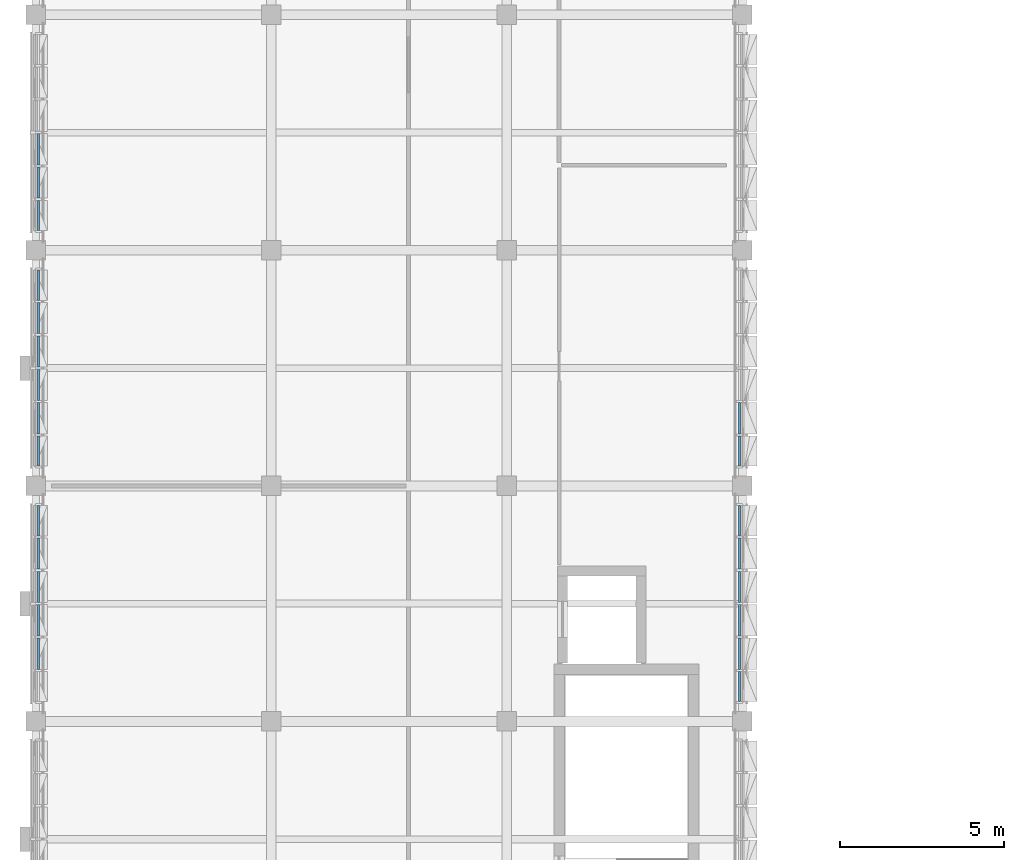
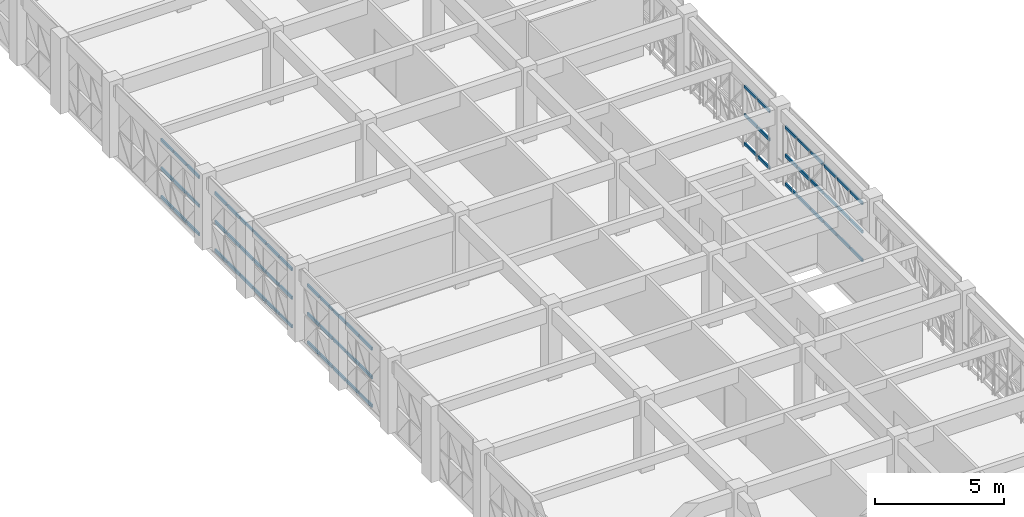
# One storey, part 22 of 74: 66 members, 5 elements without a shape of their own.
"""IFC4 building model written with IfcOpenShell, lengths in metres."""

from ifc_helpers import new_model, si_unit, direction, frame, origin, origin_2d, place, context, subcontext, project, spatial, rectangle, extrude, material, material_profile, profile_set, type_object, element, aggregate, save


model = new_model("IFC4")

# Units and contexts
model_context = context("Model", 3, precision=1e-05, world=origin(), true_north=direction((0.0, 1.0)))
body_context = subcontext(model_context, "Body", "Model", "MODEL_VIEW")
ifc_project = project(units=[si_unit("LENGTHUNIT", "METRE"), si_unit("AREAUNIT", "SQUARE_METRE"), si_unit("VOLUMEUNIT", "CUBIC_METRE"), si_unit("PLANEANGLEUNIT", "RADIAN"), si_unit("MASSUNIT", "GRAM", prefix="KILO")], contexts=[model_context])

# Site, building, storey
site_placement = place(None, origin())
site = spatial("IfcSite", under=ifc_project, at=site_placement, CompositionType="ELEMENT")
building_placement = place(site_placement, origin())
building = spatial("IfcBuilding", under=site, at=building_placement, Name="Alvorim Cloister Faculty of Sciences", CompositionType="ELEMENT")
storey_placement = place(building_placement, frame((0.0, 0.0, 15.75)))
storey = spatial("IfcBuildingStorey", under=building, at=storey_placement, Name="L04", CompositionType="ELEMENT", Elevation=15.75)

# Curtain wall, members
ifc_material_1 = material(Name="Aluminium and Low-E Glass Curtain Wall", Category="aluminium")
curtain_wall_type = type_object("IfcCurtainWallType", Name="CW-TRI-6120x2850", PredefinedType="USERDEFINED", material=ifc_material_1)
curtain_wall_1_placement = place(storey_placement, origin())
curtain_wall_1 = element("IfcCurtainWall", 1, at=curtain_wall_1_placement, inside=storey, type_object=curtain_wall_type, Name="L04 Diagonal Cassette Curtain Wall CW-0173", ObjectType="UNITISED CURTAIN WALL", PredefinedType="USERDEFINED")
ifc_material_2 = material(Name="Aluminium Alloy 6063-T6", Category="aluminium")
ifc_material_profile = material_profile(ifc_material_2, rectangle(XDim=0.06494140625, YDim=0.139892578125, at=origin_2d()), Name="ALU-TRN-65x140")
ifc_profile_set = profile_set([ifc_material_profile], Name="Aluminium Alloy 6063-T6")
member_type = type_object("IfcMemberType", Name="CW-TRN-65x140", PredefinedType="USERDEFINED", material=ifc_profile_set)
member_1_placement = place(storey_placement, frame((0.090087890625, 79.592529296875, 0.070068359375), z_axis=(0.0, 1.0, 0.0), x_axis=(-1.0, 0.0, 0.0)))
member_1 = element("IfcMember", 2, at=member_1_placement, type_object=member_type, Name="CW-0173 Transom 2.1", ObjectType="TRANSOM", PredefinedType="USERDEFINED", context=body_context, shape_type="SweptSolid", body=[
    extrude(rectangle(XDim=0.06494140625, YDim=0.139892578125, at=origin_2d()), origin(), (0.0, 0.0, 1.0), 0.955078125),
])
member_2_placement = place(storey_placement, frame((0.090087890625, 79.592529296875, 1.425048828125), z_axis=(0.0, 1.0, 0.0), x_axis=(-1.0, 0.0, 0.0)))
member_2 = element("IfcMember", 3, at=member_2_placement, type_object=member_type, Name="CW-0173 Transom 2.2", ObjectType="TRANSOM", PredefinedType="USERDEFINED", context=body_context, shape_type="SweptSolid", body=[
    extrude(rectangle(XDim=0.06494140625, YDim=0.139892578125, at=origin_2d()), origin(), (0.0, 0.0, 1.0), 0.955078125),
])
member_3_placement = place(storey_placement, frame((0.090087890625, 79.592529296875, 2.780029296875), z_axis=(0.0, 1.0, 0.0), x_axis=(-1.0, 0.0, 0.0)))
member_3 = element("IfcMember", 4, at=member_3_placement, type_object=member_type, Name="CW-0173 Transom 2.3", ObjectType="TRANSOM", PredefinedType="USERDEFINED", context=body_context, shape_type="SweptSolid", body=[
    extrude(rectangle(XDim=0.06494140625, YDim=0.139892578125, at=origin_2d()), origin(), (0.0, 0.0, 1.0), 0.955078125),
])
member_4_placement = place(storey_placement, frame((0.090087890625, 80.612548828125, 0.070068359375), z_axis=(0.0, 1.0, 0.0), x_axis=(-1.0, 0.0, 0.0)))
member_4 = element("IfcMember", 5, at=member_4_placement, type_object=member_type, Name="CW-0173 Transom 3.1", ObjectType="TRANSOM", PredefinedType="USERDEFINED", context=body_context, shape_type="SweptSolid", body=[
    extrude(rectangle(XDim=0.06494140625, YDim=0.139892578125, at=origin_2d()), origin(), (0.0, 0.0, 1.0), 0.954833984375),
])
member_5_placement = place(storey_placement, frame((0.090087890625, 80.612548828125, 1.425048828125), z_axis=(0.0, 1.0, 0.0), x_axis=(-1.0, 0.0, 0.0)))
member_5 = element("IfcMember", 6, at=member_5_placement, type_object=member_type, Name="CW-0173 Transom 3.2", ObjectType="TRANSOM", PredefinedType="USERDEFINED", context=body_context, shape_type="SweptSolid", body=[
    extrude(rectangle(XDim=0.06494140625, YDim=0.139892578125, at=origin_2d()), origin(), (0.0, 0.0, 1.0), 0.954833984375),
])
member_6_placement = place(storey_placement, frame((0.090087890625, 80.612548828125, 2.780029296875), z_axis=(0.0, 1.0, 0.0), x_axis=(-1.0, 0.0, 0.0)))
member_6 = element("IfcMember", 7, at=member_6_placement, type_object=member_type, Name="CW-0173 Transom 3.3", ObjectType="TRANSOM", PredefinedType="USERDEFINED", context=body_context, shape_type="SweptSolid", body=[
    extrude(rectangle(XDim=0.06494140625, YDim=0.139892578125, at=origin_2d()), origin(), (0.0, 0.0, 1.0), 0.954833984375),
])
member_7_placement = place(storey_placement, frame((0.090087890625, 81.632568359375, 0.070068359375), z_axis=(0.0, 1.0, 0.0), x_axis=(-1.0, 0.0, 0.0)))
member_7 = element("IfcMember", 8, at=member_7_placement, type_object=member_type, Name="CW-0173 Transom 4.1", ObjectType="TRANSOM", PredefinedType="USERDEFINED", context=body_context, shape_type="SweptSolid", body=[
    extrude(rectangle(XDim=0.06494140625, YDim=0.139892578125, at=origin_2d()), origin(), (0.0, 0.0, 1.0), 0.954833984375),
])
member_8_placement = place(storey_placement, frame((0.090087890625, 81.632568359375, 1.425048828125), z_axis=(0.0, 1.0, 0.0), x_axis=(-1.0, 0.0, 0.0)))
member_8 = element("IfcMember", 9, at=member_8_placement, type_object=member_type, Name="CW-0173 Transom 4.2", ObjectType="TRANSOM", PredefinedType="USERDEFINED", context=body_context, shape_type="SweptSolid", body=[
    extrude(rectangle(XDim=0.06494140625, YDim=0.139892578125, at=origin_2d()), origin(), (0.0, 0.0, 1.0), 0.954833984375),
])
member_9_placement = place(storey_placement, frame((0.090087890625, 81.632568359375, 2.780029296875), z_axis=(0.0, 1.0, 0.0), x_axis=(-1.0, 0.0, 0.0)))
member_9 = element("IfcMember", 10, at=member_9_placement, type_object=member_type, Name="CW-0173 Transom 4.3", ObjectType="TRANSOM", PredefinedType="USERDEFINED", context=body_context, shape_type="SweptSolid", body=[
    extrude(rectangle(XDim=0.06494140625, YDim=0.139892578125, at=origin_2d()), origin(), (0.0, 0.0, 1.0), 0.954833984375),
])
member_10_placement = place(storey_placement, frame((0.090087890625, 82.652587890625, 0.070068359375), z_axis=(0.0, 1.0, 0.0), x_axis=(-1.0, 0.0, 0.0)))
member_10 = element("IfcMember", 11, at=member_10_placement, type_object=member_type, Name="CW-0173 Transom 5.1", ObjectType="TRANSOM", PredefinedType="USERDEFINED", context=body_context, shape_type="SweptSolid", body=[
    extrude(rectangle(XDim=0.06494140625, YDim=0.139892578125, at=origin_2d()), origin(), (0.0, 0.0, 1.0), 0.954833984375),
])
member_11_placement = place(storey_placement, frame((0.090087890625, 82.652587890625, 1.425048828125), z_axis=(0.0, 1.0, 0.0), x_axis=(-1.0, 0.0, 0.0)))
member_11 = element("IfcMember", 12, at=member_11_placement, type_object=member_type, Name="CW-0173 Transom 5.2", ObjectType="TRANSOM", PredefinedType="USERDEFINED", context=body_context, shape_type="SweptSolid", body=[
    extrude(rectangle(XDim=0.06494140625, YDim=0.139892578125, at=origin_2d()), origin(), (0.0, 0.0, 1.0), 0.954833984375),
])
member_12_placement = place(storey_placement, frame((0.090087890625, 82.652587890625, 2.780029296875), z_axis=(0.0, 1.0, 0.0), x_axis=(-1.0, 0.0, 0.0)))
member_12 = element("IfcMember", 13, at=member_12_placement, type_object=member_type, Name="CW-0173 Transom 5.3", ObjectType="TRANSOM", PredefinedType="USERDEFINED", context=body_context, shape_type="SweptSolid", body=[
    extrude(rectangle(XDim=0.06494140625, YDim=0.139892578125, at=origin_2d()), origin(), (0.0, 0.0, 1.0), 0.954833984375),
])
member_13_placement = place(storey_placement, frame((0.090087890625, 83.672607421875, 0.070068359375), z_axis=(0.0, 1.0, 0.0), x_axis=(-1.0, 0.0, 0.0)))
member_13 = element("IfcMember", 14, at=member_13_placement, type_object=member_type, Name="CW-0173 Transom 6.1", ObjectType="TRANSOM", PredefinedType="USERDEFINED", context=body_context, shape_type="SweptSolid", body=[
    extrude(rectangle(XDim=0.06494140625, YDim=0.139892578125, at=origin_2d()), origin(), (0.0, 0.0, 1.0), 0.92236328125),
])
member_14_placement = place(storey_placement, frame((0.090087890625, 83.672607421875, 1.425048828125), z_axis=(0.0, 1.0, 0.0), x_axis=(-1.0, 0.0, 0.0)))
member_14 = element("IfcMember", 15, at=member_14_placement, type_object=member_type, Name="CW-0173 Transom 6.2", ObjectType="TRANSOM", PredefinedType="USERDEFINED", context=body_context, shape_type="SweptSolid", body=[
    extrude(rectangle(XDim=0.06494140625, YDim=0.139892578125, at=origin_2d()), origin(), (0.0, 0.0, 1.0), 0.92236328125),
])
member_15_placement = place(storey_placement, frame((0.090087890625, 83.672607421875, 2.780029296875), z_axis=(0.0, 1.0, 0.0), x_axis=(-1.0, 0.0, 0.0)))
member_15 = element("IfcMember", 16, at=member_15_placement, type_object=member_type, Name="CW-0173 Transom 6.3", ObjectType="TRANSOM", PredefinedType="USERDEFINED", context=body_context, shape_type="SweptSolid", body=[
    extrude(rectangle(XDim=0.06494140625, YDim=0.139892578125, at=origin_2d()), origin(), (0.0, 0.0, 1.0), 0.92236328125),
])
aggregate(curtain_wall_1, [member_1, member_2, member_3, member_4, member_5, member_6, member_7, member_8, member_9, member_10, member_11, member_12, member_13, member_14, member_15])

curtain_wall_2_placement = place(storey_placement, origin())
curtain_wall_2 = element("IfcCurtainWall", 17, at=curtain_wall_2_placement, inside=storey, type_object=curtain_wall_type, Name="L04 Diagonal Cassette Curtain Wall CW-0174", ObjectType="UNITISED CURTAIN WALL", PredefinedType="USERDEFINED")
member_16_placement = place(storey_placement, frame((0.090087890625, 85.804931640625, 0.070068359375), z_axis=(0.0, 1.0, 0.0), x_axis=(-1.0, 0.0, 0.0)))
member_16 = element("IfcMember", 18, at=member_16_placement, type_object=member_type, Name="CW-0174 Transom 1.1", ObjectType="TRANSOM", PredefinedType="USERDEFINED", context=body_context, shape_type="SweptSolid", body=[
    extrude(rectangle(XDim=0.06494140625, YDim=0.139892578125, at=origin_2d()), origin(), (0.0, 0.0, 1.0), 0.922607421875),
])
member_17_placement = place(storey_placement, frame((0.090087890625, 85.804931640625, 1.425048828125), z_axis=(0.0, 1.0, 0.0), x_axis=(-1.0, 0.0, 0.0)))
member_17 = element("IfcMember", 19, at=member_17_placement, type_object=member_type, Name="CW-0174 Transom 1.2", ObjectType="TRANSOM", PredefinedType="USERDEFINED", context=body_context, shape_type="SweptSolid", body=[
    extrude(rectangle(XDim=0.06494140625, YDim=0.139892578125, at=origin_2d()), origin(), (0.0, 0.0, 1.0), 0.922607421875),
])
member_18_placement = place(storey_placement, frame((0.090087890625, 85.804931640625, 2.780029296875), z_axis=(0.0, 1.0, 0.0), x_axis=(-1.0, 0.0, 0.0)))
member_18 = element("IfcMember", 20, at=member_18_placement, type_object=member_type, Name="CW-0174 Transom 1.3", ObjectType="TRANSOM", PredefinedType="USERDEFINED", context=body_context, shape_type="SweptSolid", body=[
    extrude(rectangle(XDim=0.06494140625, YDim=0.139892578125, at=origin_2d()), origin(), (0.0, 0.0, 1.0), 0.922607421875),
])
member_19_placement = place(storey_placement, frame((0.090087890625, 86.79248046875, 0.070068359375), z_axis=(0.0, 1.0, 0.0), x_axis=(-1.0, 0.0, 0.0)))
member_19 = element("IfcMember", 21, at=member_19_placement, type_object=member_type, Name="CW-0174 Transom 2.1", ObjectType="TRANSOM", PredefinedType="USERDEFINED", context=body_context, shape_type="SweptSolid", body=[
    extrude(rectangle(XDim=0.06494140625, YDim=0.139892578125, at=origin_2d()), origin(), (0.0, 0.0, 1.0), 0.955078125),
])
member_20_placement = place(storey_placement, frame((0.090087890625, 86.79248046875, 1.425048828125), z_axis=(0.0, 1.0, 0.0), x_axis=(-1.0, 0.0, 0.0)))
member_20 = element("IfcMember", 22, at=member_20_placement, type_object=member_type, Name="CW-0174 Transom 2.2", ObjectType="TRANSOM", PredefinedType="USERDEFINED", context=body_context, shape_type="SweptSolid", body=[
    extrude(rectangle(XDim=0.06494140625, YDim=0.139892578125, at=origin_2d()), origin(), (0.0, 0.0, 1.0), 0.955078125),
])
member_21_placement = place(storey_placement, frame((0.090087890625, 86.79248046875, 2.780029296875), z_axis=(0.0, 1.0, 0.0), x_axis=(-1.0, 0.0, 0.0)))
member_21 = element("IfcMember", 23, at=member_21_placement, type_object=member_type, Name="CW-0174 Transom 2.3", ObjectType="TRANSOM", PredefinedType="USERDEFINED", context=body_context, shape_type="SweptSolid", body=[
    extrude(rectangle(XDim=0.06494140625, YDim=0.139892578125, at=origin_2d()), origin(), (0.0, 0.0, 1.0), 0.955078125),
])
member_22_placement = place(storey_placement, frame((0.090087890625, 87.8125, 0.070068359375), z_axis=(0.0, 1.0, 0.0), x_axis=(-1.0, 0.0, 0.0)))
member_22 = element("IfcMember", 24, at=member_22_placement, type_object=member_type, Name="CW-0174 Transom 3.1", ObjectType="TRANSOM", PredefinedType="USERDEFINED", context=body_context, shape_type="SweptSolid", body=[
    extrude(rectangle(XDim=0.06494140625, YDim=0.139892578125, at=origin_2d()), origin(), (0.0, 0.0, 1.0), 0.955078125),
])
member_23_placement = place(storey_placement, frame((0.090087890625, 87.8125, 1.425048828125), z_axis=(0.0, 1.0, 0.0), x_axis=(-1.0, 0.0, 0.0)))
member_23 = element("IfcMember", 25, at=member_23_placement, type_object=member_type, Name="CW-0174 Transom 3.2", ObjectType="TRANSOM", PredefinedType="USERDEFINED", context=body_context, shape_type="SweptSolid", body=[
    extrude(rectangle(XDim=0.06494140625, YDim=0.139892578125, at=origin_2d()), origin(), (0.0, 0.0, 1.0), 0.955078125),
])
member_24_placement = place(storey_placement, frame((0.090087890625, 87.8125, 2.780029296875), z_axis=(0.0, 1.0, 0.0), x_axis=(-1.0, 0.0, 0.0)))
member_24 = element("IfcMember", 26, at=member_24_placement, type_object=member_type, Name="CW-0174 Transom 3.3", ObjectType="TRANSOM", PredefinedType="USERDEFINED", context=body_context, shape_type="SweptSolid", body=[
    extrude(rectangle(XDim=0.06494140625, YDim=0.139892578125, at=origin_2d()), origin(), (0.0, 0.0, 1.0), 0.955078125),
])
member_25_placement = place(storey_placement, frame((0.090087890625, 88.83251953125, 0.070068359375), z_axis=(0.0, 1.0, 0.0), x_axis=(-1.0, 0.0, 0.0)))
member_25 = element("IfcMember", 27, at=member_25_placement, type_object=member_type, Name="CW-0174 Transom 4.1", ObjectType="TRANSOM", PredefinedType="USERDEFINED", context=body_context, shape_type="SweptSolid", body=[
    extrude(rectangle(XDim=0.06494140625, YDim=0.139892578125, at=origin_2d()), origin(), (0.0, 0.0, 1.0), 0.955078125),
])
member_26_placement = place(storey_placement, frame((0.090087890625, 88.83251953125, 1.425048828125), z_axis=(0.0, 1.0, 0.0), x_axis=(-1.0, 0.0, 0.0)))
member_26 = element("IfcMember", 28, at=member_26_placement, type_object=member_type, Name="CW-0174 Transom 4.2", ObjectType="TRANSOM", PredefinedType="USERDEFINED", context=body_context, shape_type="SweptSolid", body=[
    extrude(rectangle(XDim=0.06494140625, YDim=0.139892578125, at=origin_2d()), origin(), (0.0, 0.0, 1.0), 0.955078125),
])
member_27_placement = place(storey_placement, frame((0.090087890625, 88.83251953125, 2.780029296875), z_axis=(0.0, 1.0, 0.0), x_axis=(-1.0, 0.0, 0.0)))
member_27 = element("IfcMember", 29, at=member_27_placement, type_object=member_type, Name="CW-0174 Transom 4.3", ObjectType="TRANSOM", PredefinedType="USERDEFINED", context=body_context, shape_type="SweptSolid", body=[
    extrude(rectangle(XDim=0.06494140625, YDim=0.139892578125, at=origin_2d()), origin(), (0.0, 0.0, 1.0), 0.955078125),
])
member_28_placement = place(storey_placement, frame((0.090087890625, 89.8525390625, 0.070068359375), z_axis=(0.0, 1.0, 0.0), x_axis=(-1.0, 0.0, 0.0)))
member_28 = element("IfcMember", 30, at=member_28_placement, type_object=member_type, Name="CW-0174 Transom 5.1", ObjectType="TRANSOM", PredefinedType="USERDEFINED", context=body_context, shape_type="SweptSolid", body=[
    extrude(rectangle(XDim=0.06494140625, YDim=0.139892578125, at=origin_2d()), origin(), (0.0, 0.0, 1.0), 0.955078125),
])
member_29_placement = place(storey_placement, frame((0.090087890625, 89.8525390625, 1.425048828125), z_axis=(0.0, 1.0, 0.0), x_axis=(-1.0, 0.0, 0.0)))
member_29 = element("IfcMember", 31, at=member_29_placement, type_object=member_type, Name="CW-0174 Transom 5.2", ObjectType="TRANSOM", PredefinedType="USERDEFINED", context=body_context, shape_type="SweptSolid", body=[
    extrude(rectangle(XDim=0.06494140625, YDim=0.139892578125, at=origin_2d()), origin(), (0.0, 0.0, 1.0), 0.955078125),
])
member_30_placement = place(storey_placement, frame((0.090087890625, 89.8525390625, 2.780029296875), z_axis=(0.0, 1.0, 0.0), x_axis=(-1.0, 0.0, 0.0)))
member_30 = element("IfcMember", 32, at=member_30_placement, type_object=member_type, Name="CW-0174 Transom 5.3", ObjectType="TRANSOM", PredefinedType="USERDEFINED", context=body_context, shape_type="SweptSolid", body=[
    extrude(rectangle(XDim=0.06494140625, YDim=0.139892578125, at=origin_2d()), origin(), (0.0, 0.0, 1.0), 0.955078125),
])
member_31_placement = place(storey_placement, frame((0.090087890625, 90.87255859375, 0.070068359375), z_axis=(0.0, 1.0, 0.0), x_axis=(-1.0, 0.0, 0.0)))
member_31 = element("IfcMember", 33, at=member_31_placement, type_object=member_type, Name="CW-0174 Transom 6.1", ObjectType="TRANSOM", PredefinedType="USERDEFINED", context=body_context, shape_type="SweptSolid", body=[
    extrude(rectangle(XDim=0.06494140625, YDim=0.139892578125, at=origin_2d()), origin(), (0.0, 0.0, 1.0), 0.92236328125),
])
member_32_placement = place(storey_placement, frame((0.090087890625, 90.87255859375, 1.425048828125), z_axis=(0.0, 1.0, 0.0), x_axis=(-1.0, 0.0, 0.0)))
member_32 = element("IfcMember", 34, at=member_32_placement, type_object=member_type, Name="CW-0174 Transom 6.2", ObjectType="TRANSOM", PredefinedType="USERDEFINED", context=body_context, shape_type="SweptSolid", body=[
    extrude(rectangle(XDim=0.06494140625, YDim=0.139892578125, at=origin_2d()), origin(), (0.0, 0.0, 1.0), 0.92236328125),
])
member_33_placement = place(storey_placement, frame((0.090087890625, 90.87255859375, 2.780029296875), z_axis=(0.0, 1.0, 0.0), x_axis=(-1.0, 0.0, 0.0)))
member_33 = element("IfcMember", 35, at=member_33_placement, type_object=member_type, Name="CW-0174 Transom 6.3", ObjectType="TRANSOM", PredefinedType="USERDEFINED", context=body_context, shape_type="SweptSolid", body=[
    extrude(rectangle(XDim=0.06494140625, YDim=0.139892578125, at=origin_2d()), origin(), (0.0, 0.0, 1.0), 0.92236328125),
])
aggregate(curtain_wall_2, [member_16, member_17, member_18, member_19, member_20, member_21, member_22, member_23, member_24, member_25, member_26, member_27, member_28, member_29, member_30, member_31, member_32, member_33])

curtain_wall_3_placement = place(storey_placement, origin())
curtain_wall_3 = element("IfcCurtainWall", 36, at=curtain_wall_3_placement, inside=storey, type_object=curtain_wall_type, Name="L04 Diagonal Cassette Curtain Wall CW-0175", ObjectType="UNITISED CURTAIN WALL", PredefinedType="USERDEFINED")
member_34_placement = place(storey_placement, frame((0.090087890625, 93.0048828125, 0.070068359375), z_axis=(0.0, 1.0, 0.0), x_axis=(-1.0, 0.0, 0.0)))
member_34 = element("IfcMember", 37, at=member_34_placement, type_object=member_type, Name="CW-0175 Transom 1.1", ObjectType="TRANSOM", PredefinedType="USERDEFINED", context=body_context, shape_type="SweptSolid", body=[
    extrude(rectangle(XDim=0.06494140625, YDim=0.139892578125, at=origin_2d()), origin(), (0.0, 0.0, 1.0), 0.922607421875),
])
member_35_placement = place(storey_placement, frame((0.090087890625, 93.0048828125, 1.425048828125), z_axis=(0.0, 1.0, 0.0), x_axis=(-1.0, 0.0, 0.0)))
member_35 = element("IfcMember", 38, at=member_35_placement, type_object=member_type, Name="CW-0175 Transom 1.2", ObjectType="TRANSOM", PredefinedType="USERDEFINED", context=body_context, shape_type="SweptSolid", body=[
    extrude(rectangle(XDim=0.06494140625, YDim=0.139892578125, at=origin_2d()), origin(), (0.0, 0.0, 1.0), 0.922607421875),
])
member_36_placement = place(storey_placement, frame((0.090087890625, 93.0048828125, 2.780029296875), z_axis=(0.0, 1.0, 0.0), x_axis=(-1.0, 0.0, 0.0)))
member_36 = element("IfcMember", 39, at=member_36_placement, type_object=member_type, Name="CW-0175 Transom 1.3", ObjectType="TRANSOM", PredefinedType="USERDEFINED", context=body_context, shape_type="SweptSolid", body=[
    extrude(rectangle(XDim=0.06494140625, YDim=0.139892578125, at=origin_2d()), origin(), (0.0, 0.0, 1.0), 0.922607421875),
])
member_37_placement = place(storey_placement, frame((0.090087890625, 93.992431640625, 0.070068359375), z_axis=(0.0, 1.0, 0.0), x_axis=(-1.0, 0.0, 0.0)))
member_37 = element("IfcMember", 40, at=member_37_placement, type_object=member_type, Name="CW-0175 Transom 2.1", ObjectType="TRANSOM", PredefinedType="USERDEFINED", context=body_context, shape_type="SweptSolid", body=[
    extrude(rectangle(XDim=0.06494140625, YDim=0.139892578125, at=origin_2d()), origin(), (0.0, 0.0, 1.0), 0.955078125),
])
member_38_placement = place(storey_placement, frame((0.090087890625, 93.992431640625, 1.425048828125), z_axis=(0.0, 1.0, 0.0), x_axis=(-1.0, 0.0, 0.0)))
member_38 = element("IfcMember", 41, at=member_38_placement, type_object=member_type, Name="CW-0175 Transom 2.2", ObjectType="TRANSOM", PredefinedType="USERDEFINED", context=body_context, shape_type="SweptSolid", body=[
    extrude(rectangle(XDim=0.06494140625, YDim=0.139892578125, at=origin_2d()), origin(), (0.0, 0.0, 1.0), 0.955078125),
])
member_39_placement = place(storey_placement, frame((0.090087890625, 93.992431640625, 2.780029296875), z_axis=(0.0, 1.0, 0.0), x_axis=(-1.0, 0.0, 0.0)))
member_39 = element("IfcMember", 42, at=member_39_placement, type_object=member_type, Name="CW-0175 Transom 2.3", ObjectType="TRANSOM", PredefinedType="USERDEFINED", context=body_context, shape_type="SweptSolid", body=[
    extrude(rectangle(XDim=0.06494140625, YDim=0.139892578125, at=origin_2d()), origin(), (0.0, 0.0, 1.0), 0.955078125),
])
member_40_placement = place(storey_placement, frame((0.090087890625, 95.012451171875, 0.070068359375), z_axis=(0.0, 1.0, 0.0), x_axis=(-1.0, 0.0, 0.0)))
member_40 = element("IfcMember", 43, at=member_40_placement, type_object=member_type, Name="CW-0175 Transom 3.1", ObjectType="TRANSOM", PredefinedType="USERDEFINED", context=body_context, shape_type="SweptSolid", body=[
    extrude(rectangle(XDim=0.06494140625, YDim=0.139892578125, at=origin_2d()), origin(), (0.0, 0.0, 1.0), 0.955078125),
])
member_41_placement = place(storey_placement, frame((0.090087890625, 95.012451171875, 1.425048828125), z_axis=(0.0, 1.0, 0.0), x_axis=(-1.0, 0.0, 0.0)))
member_41 = element("IfcMember", 44, at=member_41_placement, type_object=member_type, Name="CW-0175 Transom 3.2", ObjectType="TRANSOM", PredefinedType="USERDEFINED", context=body_context, shape_type="SweptSolid", body=[
    extrude(rectangle(XDim=0.06494140625, YDim=0.139892578125, at=origin_2d()), origin(), (0.0, 0.0, 1.0), 0.955078125),
])
member_42_placement = place(storey_placement, frame((0.090087890625, 95.012451171875, 2.780029296875), z_axis=(0.0, 1.0, 0.0), x_axis=(-1.0, 0.0, 0.0)))
member_42 = element("IfcMember", 45, at=member_42_placement, type_object=member_type, Name="CW-0175 Transom 3.3", ObjectType="TRANSOM", PredefinedType="USERDEFINED", context=body_context, shape_type="SweptSolid", body=[
    extrude(rectangle(XDim=0.06494140625, YDim=0.139892578125, at=origin_2d()), origin(), (0.0, 0.0, 1.0), 0.955078125),
])
aggregate(curtain_wall_3, [member_34, member_35, member_36, member_37, member_38, member_39, member_40, member_41, member_42])

curtain_wall_4_placement = place(storey_placement, origin())
curtain_wall_4 = element("IfcCurtainWall", 46, at=curtain_wall_4_placement, inside=storey, type_object=curtain_wall_type, Name="L04 Diagonal Cassette Curtain Wall CW-0184", ObjectType="UNITISED CURTAIN WALL", PredefinedType="USERDEFINED")
member_43_placement = place(storey_placement, frame((21.510009765625, 85.804931640625, 0.070068359375), z_axis=(0.0, 1.0, 0.0), x_axis=(-1.0, 0.0, 0.0)))
member_43 = element("IfcMember", 47, at=member_43_placement, type_object=member_type, Name="CW-0184 Transom 1.1", ObjectType="TRANSOM", PredefinedType="USERDEFINED", context=body_context, shape_type="SweptSolid", body=[
    extrude(rectangle(XDim=0.06494140625, YDim=0.139892578125, at=origin_2d()), origin(), (0.0, 0.0, 1.0), 0.922607421875),
])
member_44_placement = place(storey_placement, frame((21.510009765625, 85.804931640625, 1.425048828125), z_axis=(0.0, 1.0, 0.0), x_axis=(-1.0, 0.0, 0.0)))
member_44 = element("IfcMember", 48, at=member_44_placement, type_object=member_type, Name="CW-0184 Transom 1.2", ObjectType="TRANSOM", PredefinedType="USERDEFINED", context=body_context, shape_type="SweptSolid", body=[
    extrude(rectangle(XDim=0.06494140625, YDim=0.139892578125, at=origin_2d()), origin(), (0.0, 0.0, 1.0), 0.922607421875),
])
member_45_placement = place(storey_placement, frame((21.510009765625, 85.804931640625, 2.780029296875), z_axis=(0.0, 1.0, 0.0), x_axis=(-1.0, 0.0, 0.0)))
member_45 = element("IfcMember", 49, at=member_45_placement, type_object=member_type, Name="CW-0184 Transom 1.3", ObjectType="TRANSOM", PredefinedType="USERDEFINED", context=body_context, shape_type="SweptSolid", body=[
    extrude(rectangle(XDim=0.06494140625, YDim=0.139892578125, at=origin_2d()), origin(), (0.0, 0.0, 1.0), 0.922607421875),
])
member_46_placement = place(storey_placement, frame((21.510009765625, 86.79248046875, 0.070068359375), z_axis=(0.0, 1.0, 0.0), x_axis=(-1.0, 0.0, 0.0)))
member_46 = element("IfcMember", 50, at=member_46_placement, type_object=member_type, Name="CW-0184 Transom 2.1", ObjectType="TRANSOM", PredefinedType="USERDEFINED", context=body_context, shape_type="SweptSolid", body=[
    extrude(rectangle(XDim=0.06494140625, YDim=0.139892578125, at=origin_2d()), origin(), (0.0, 0.0, 1.0), 0.955078125),
])
member_47_placement = place(storey_placement, frame((21.510009765625, 86.79248046875, 1.425048828125), z_axis=(0.0, 1.0, 0.0), x_axis=(-1.0, 0.0, 0.0)))
member_47 = element("IfcMember", 51, at=member_47_placement, type_object=member_type, Name="CW-0184 Transom 2.2", ObjectType="TRANSOM", PredefinedType="USERDEFINED", context=body_context, shape_type="SweptSolid", body=[
    extrude(rectangle(XDim=0.06494140625, YDim=0.139892578125, at=origin_2d()), origin(), (0.0, 0.0, 1.0), 0.955078125),
])
member_48_placement = place(storey_placement, frame((21.510009765625, 86.79248046875, 2.780029296875), z_axis=(0.0, 1.0, 0.0), x_axis=(-1.0, 0.0, 0.0)))
member_48 = element("IfcMember", 52, at=member_48_placement, type_object=member_type, Name="CW-0184 Transom 2.3", ObjectType="TRANSOM", PredefinedType="USERDEFINED", context=body_context, shape_type="SweptSolid", body=[
    extrude(rectangle(XDim=0.06494140625, YDim=0.139892578125, at=origin_2d()), origin(), (0.0, 0.0, 1.0), 0.955078125),
])
aggregate(curtain_wall_4, [member_43, member_44, member_45, member_46, member_47, member_48])

curtain_wall_5_placement = place(storey_placement, origin())
curtain_wall_5 = element("IfcCurtainWall", 53, at=curtain_wall_5_placement, inside=storey, type_object=curtain_wall_type, Name="L04 Diagonal Cassette Curtain Wall CW-0185", ObjectType="UNITISED CURTAIN WALL", PredefinedType="USERDEFINED")
member_49_placement = place(storey_placement, frame((21.510009765625, 78.60498046875, 0.070068359375), z_axis=(0.0, 1.0, 0.0), x_axis=(-1.0, 0.0, 0.0)))
member_49 = element("IfcMember", 54, at=member_49_placement, type_object=member_type, Name="CW-0185 Transom 1.1", ObjectType="TRANSOM", PredefinedType="USERDEFINED", context=body_context, shape_type="SweptSolid", body=[
    extrude(rectangle(XDim=0.06494140625, YDim=0.139892578125, at=origin_2d()), origin(), (0.0, 0.0, 1.0), 0.922607421875),
])
member_50_placement = place(storey_placement, frame((21.510009765625, 78.60498046875, 1.425048828125), z_axis=(0.0, 1.0, 0.0), x_axis=(-1.0, 0.0, 0.0)))
member_50 = element("IfcMember", 55, at=member_50_placement, type_object=member_type, Name="CW-0185 Transom 1.2", ObjectType="TRANSOM", PredefinedType="USERDEFINED", context=body_context, shape_type="SweptSolid", body=[
    extrude(rectangle(XDim=0.06494140625, YDim=0.139892578125, at=origin_2d()), origin(), (0.0, 0.0, 1.0), 0.922607421875),
])
member_51_placement = place(storey_placement, frame((21.510009765625, 78.60498046875, 2.780029296875), z_axis=(0.0, 1.0, 0.0), x_axis=(-1.0, 0.0, 0.0)))
member_51 = element("IfcMember", 56, at=member_51_placement, type_object=member_type, Name="CW-0185 Transom 1.3", ObjectType="TRANSOM", PredefinedType="USERDEFINED", context=body_context, shape_type="SweptSolid", body=[
    extrude(rectangle(XDim=0.06494140625, YDim=0.139892578125, at=origin_2d()), origin(), (0.0, 0.0, 1.0), 0.922607421875),
])
member_52_placement = place(storey_placement, frame((21.510009765625, 79.592529296875, 0.070068359375), z_axis=(0.0, 1.0, 0.0), x_axis=(-1.0, 0.0, 0.0)))
member_52 = element("IfcMember", 57, at=member_52_placement, type_object=member_type, Name="CW-0185 Transom 2.1", ObjectType="TRANSOM", PredefinedType="USERDEFINED", context=body_context, shape_type="SweptSolid", body=[
    extrude(rectangle(XDim=0.06494140625, YDim=0.139892578125, at=origin_2d()), origin(), (0.0, 0.0, 1.0), 0.955078125),
])
member_53_placement = place(storey_placement, frame((21.510009765625, 79.592529296875, 1.425048828125), z_axis=(0.0, 1.0, 0.0), x_axis=(-1.0, 0.0, 0.0)))
member_53 = element("IfcMember", 58, at=member_53_placement, type_object=member_type, Name="CW-0185 Transom 2.2", ObjectType="TRANSOM", PredefinedType="USERDEFINED", context=body_context, shape_type="SweptSolid", body=[
    extrude(rectangle(XDim=0.06494140625, YDim=0.139892578125, at=origin_2d()), origin(), (0.0, 0.0, 1.0), 0.955078125),
])
member_54_placement = place(storey_placement, frame((21.510009765625, 79.592529296875, 2.780029296875), z_axis=(0.0, 1.0, 0.0), x_axis=(-1.0, 0.0, 0.0)))
member_54 = element("IfcMember", 59, at=member_54_placement, type_object=member_type, Name="CW-0185 Transom 2.3", ObjectType="TRANSOM", PredefinedType="USERDEFINED", context=body_context, shape_type="SweptSolid", body=[
    extrude(rectangle(XDim=0.06494140625, YDim=0.139892578125, at=origin_2d()), origin(), (0.0, 0.0, 1.0), 0.955078125),
])
member_55_placement = place(storey_placement, frame((21.510009765625, 80.612548828125, 0.070068359375), z_axis=(0.0, 1.0, 0.0), x_axis=(-1.0, 0.0, 0.0)))
member_55 = element("IfcMember", 60, at=member_55_placement, type_object=member_type, Name="CW-0185 Transom 3.1", ObjectType="TRANSOM", PredefinedType="USERDEFINED", context=body_context, shape_type="SweptSolid", body=[
    extrude(rectangle(XDim=0.06494140625, YDim=0.139892578125, at=origin_2d()), origin(), (0.0, 0.0, 1.0), 0.954833984375),
])
member_56_placement = place(storey_placement, frame((21.510009765625, 80.612548828125, 1.425048828125), z_axis=(0.0, 1.0, 0.0), x_axis=(-1.0, 0.0, 0.0)))
member_56 = element("IfcMember", 61, at=member_56_placement, type_object=member_type, Name="CW-0185 Transom 3.2", ObjectType="TRANSOM", PredefinedType="USERDEFINED", context=body_context, shape_type="SweptSolid", body=[
    extrude(rectangle(XDim=0.06494140625, YDim=0.139892578125, at=origin_2d()), origin(), (0.0, 0.0, 1.0), 0.954833984375),
])
member_57_placement = place(storey_placement, frame((21.510009765625, 80.612548828125, 2.780029296875), z_axis=(0.0, 1.0, 0.0), x_axis=(-1.0, 0.0, 0.0)))
member_57 = element("IfcMember", 62, at=member_57_placement, type_object=member_type, Name="CW-0185 Transom 3.3", ObjectType="TRANSOM", PredefinedType="USERDEFINED", context=body_context, shape_type="SweptSolid", body=[
    extrude(rectangle(XDim=0.06494140625, YDim=0.139892578125, at=origin_2d()), origin(), (0.0, 0.0, 1.0), 0.954833984375),
])
member_58_placement = place(storey_placement, frame((21.510009765625, 81.632568359375, 0.070068359375), z_axis=(0.0, 1.0, 0.0), x_axis=(-1.0, 0.0, 0.0)))
member_58 = element("IfcMember", 63, at=member_58_placement, type_object=member_type, Name="CW-0185 Transom 4.1", ObjectType="TRANSOM", PredefinedType="USERDEFINED", context=body_context, shape_type="SweptSolid", body=[
    extrude(rectangle(XDim=0.06494140625, YDim=0.139892578125, at=origin_2d()), origin(), (0.0, 0.0, 1.0), 0.954833984375),
])
member_59_placement = place(storey_placement, frame((21.510009765625, 81.632568359375, 1.425048828125), z_axis=(0.0, 1.0, 0.0), x_axis=(-1.0, 0.0, 0.0)))
member_59 = element("IfcMember", 64, at=member_59_placement, type_object=member_type, Name="CW-0185 Transom 4.2", ObjectType="TRANSOM", PredefinedType="USERDEFINED", context=body_context, shape_type="SweptSolid", body=[
    extrude(rectangle(XDim=0.06494140625, YDim=0.139892578125, at=origin_2d()), origin(), (0.0, 0.0, 1.0), 0.954833984375),
])
member_60_placement = place(storey_placement, frame((21.510009765625, 81.632568359375, 2.780029296875), z_axis=(0.0, 1.0, 0.0), x_axis=(-1.0, 0.0, 0.0)))
member_60 = element("IfcMember", 65, at=member_60_placement, type_object=member_type, Name="CW-0185 Transom 4.3", ObjectType="TRANSOM", PredefinedType="USERDEFINED", context=body_context, shape_type="SweptSolid", body=[
    extrude(rectangle(XDim=0.06494140625, YDim=0.139892578125, at=origin_2d()), origin(), (0.0, 0.0, 1.0), 0.954833984375),
])
member_61_placement = place(storey_placement, frame((21.510009765625, 82.652587890625, 0.070068359375), z_axis=(0.0, 1.0, 0.0), x_axis=(-1.0, 0.0, 0.0)))
member_61 = element("IfcMember", 66, at=member_61_placement, type_object=member_type, Name="CW-0185 Transom 5.1", ObjectType="TRANSOM", PredefinedType="USERDEFINED", context=body_context, shape_type="SweptSolid", body=[
    extrude(rectangle(XDim=0.06494140625, YDim=0.139892578125, at=origin_2d()), origin(), (0.0, 0.0, 1.0), 0.954833984375),
])
member_62_placement = place(storey_placement, frame((21.510009765625, 82.652587890625, 1.425048828125), z_axis=(0.0, 1.0, 0.0), x_axis=(-1.0, 0.0, 0.0)))
member_62 = element("IfcMember", 67, at=member_62_placement, type_object=member_type, Name="CW-0185 Transom 5.2", ObjectType="TRANSOM", PredefinedType="USERDEFINED", context=body_context, shape_type="SweptSolid", body=[
    extrude(rectangle(XDim=0.06494140625, YDim=0.139892578125, at=origin_2d()), origin(), (0.0, 0.0, 1.0), 0.954833984375),
])
member_63_placement = place(storey_placement, frame((21.510009765625, 82.652587890625, 2.780029296875), z_axis=(0.0, 1.0, 0.0), x_axis=(-1.0, 0.0, 0.0)))
member_63 = element("IfcMember", 68, at=member_63_placement, type_object=member_type, Name="CW-0185 Transom 5.3", ObjectType="TRANSOM", PredefinedType="USERDEFINED", context=body_context, shape_type="SweptSolid", body=[
    extrude(rectangle(XDim=0.06494140625, YDim=0.139892578125, at=origin_2d()), origin(), (0.0, 0.0, 1.0), 0.954833984375),
])
member_64_placement = place(storey_placement, frame((21.510009765625, 83.672607421875, 0.070068359375), z_axis=(0.0, 1.0, 0.0), x_axis=(-1.0, 0.0, 0.0)))
member_64 = element("IfcMember", 69, at=member_64_placement, type_object=member_type, Name="CW-0185 Transom 6.1", ObjectType="TRANSOM", PredefinedType="USERDEFINED", context=body_context, shape_type="SweptSolid", body=[
    extrude(rectangle(XDim=0.06494140625, YDim=0.139892578125, at=origin_2d()), origin(), (0.0, 0.0, 1.0), 0.92236328125),
])
member_65_placement = place(storey_placement, frame((21.510009765625, 83.672607421875, 1.425048828125), z_axis=(0.0, 1.0, 0.0), x_axis=(-1.0, 0.0, 0.0)))
member_65 = element("IfcMember", 70, at=member_65_placement, type_object=member_type, Name="CW-0185 Transom 6.2", ObjectType="TRANSOM", PredefinedType="USERDEFINED", context=body_context, shape_type="SweptSolid", body=[
    extrude(rectangle(XDim=0.06494140625, YDim=0.139892578125, at=origin_2d()), origin(), (0.0, 0.0, 1.0), 0.92236328125),
])
member_66_placement = place(storey_placement, frame((21.510009765625, 83.672607421875, 2.780029296875), z_axis=(0.0, 1.0, 0.0), x_axis=(-1.0, 0.0, 0.0)))
member_66 = element("IfcMember", 71, at=member_66_placement, type_object=member_type, Name="CW-0185 Transom 6.3", ObjectType="TRANSOM", PredefinedType="USERDEFINED", context=body_context, shape_type="SweptSolid", body=[
    extrude(rectangle(XDim=0.06494140625, YDim=0.139892578125, at=origin_2d()), origin(), (0.0, 0.0, 1.0), 0.92236328125),
])
aggregate(curtain_wall_5, [member_49, member_50, member_51, member_52, member_53, member_54, member_55, member_56, member_57, member_58, member_59, member_60, member_61, member_62, member_63, member_64, member_65, member_66])

save(model, "model.ifc")
